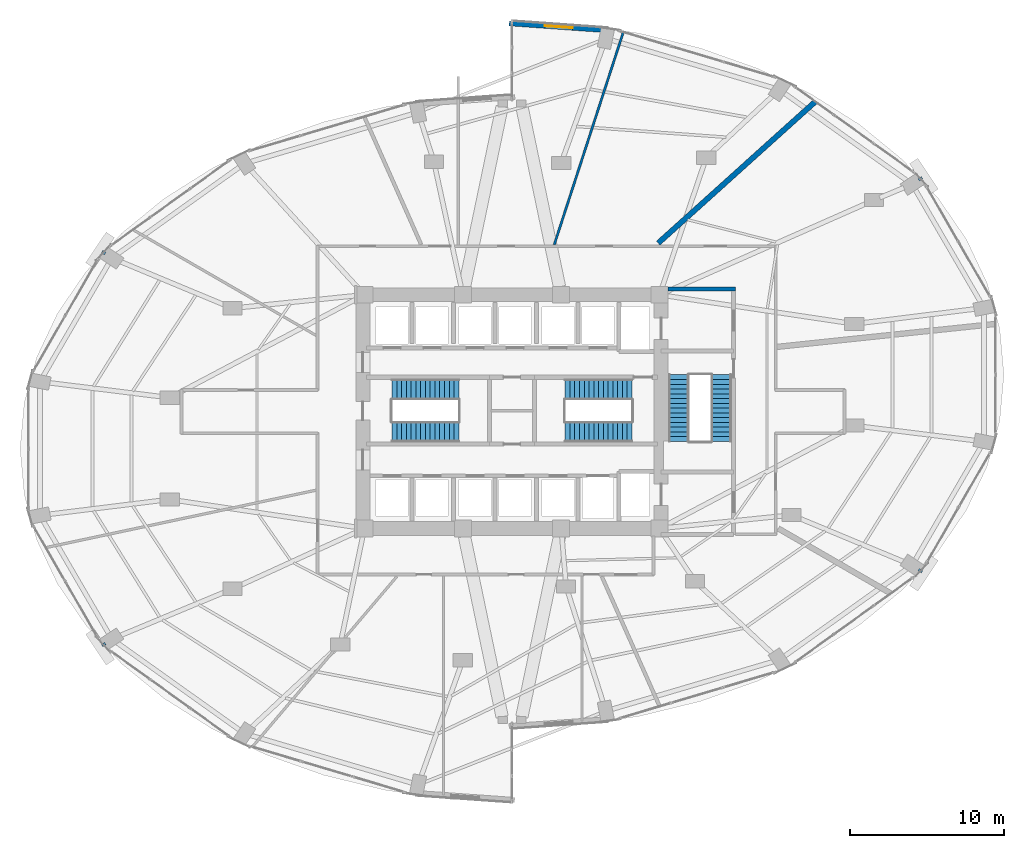
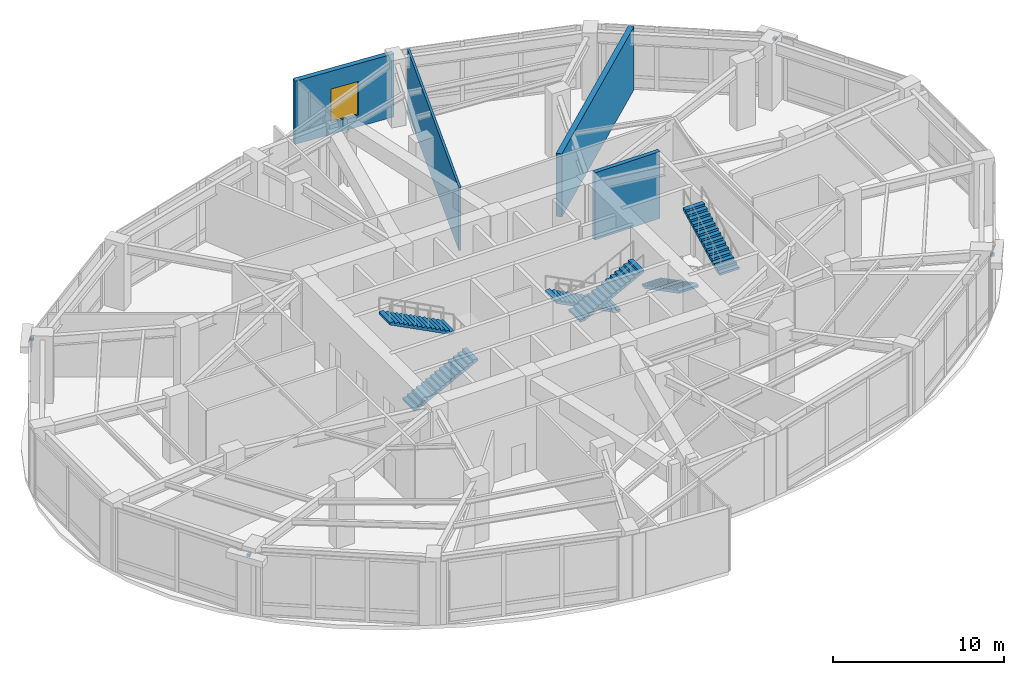
# One storey, part 23 of 24: 6 stair flights, 4 discrete accessories, 4 walls, 1 window, 1 opening, 3 elements without a shape of their own.
"""IFC4 building model written with IfcOpenShell, lengths in metres."""

from ifc_helpers import new_model, si_unit, direction, frame, frame_2d, origin, origin_2d, place, context, subcontext, project, spatial, polyline, rectangle, outline, extrude, material, layer, layer_set, type_object, element, fill, aggregate, save


model = new_model("IFC4")

# Units and contexts
model_context = context("Model", 3, precision=1e-05, world=origin(), true_north=direction((0.0, 1.0)))
body_context = subcontext(model_context, "Body", "Model", "MODEL_VIEW")
ifc_project = project(units=[si_unit("LENGTHUNIT", "METRE"), si_unit("AREAUNIT", "SQUARE_METRE"), si_unit("VOLUMEUNIT", "CUBIC_METRE"), si_unit("PLANEANGLEUNIT", "RADIAN"), si_unit("MASSUNIT", "GRAM", prefix="KILO")], contexts=[model_context])

# Site, building, storey
site_placement = place(None, origin())
site = spatial("IfcSite", under=ifc_project, at=site_placement, CompositionType="ELEMENT")
building_placement = place(site_placement, origin())
building = spatial("IfcBuilding", under=site, at=building_placement, Name="Lazwardi Medical Tower", CompositionType="ELEMENT")
storey_placement = place(building_placement, frame((0.0, 0.0, 6.0)))
storey = spatial("IfcBuildingStorey", under=building, at=storey_placement, Name="L01", CompositionType="ELEMENT", Elevation=6.0)

# Wall, opening, window
ifc_material_1 = material(Name="Precast concrete C45/55", Category="concrete")
ifc_layer_1 = layer(ifc_material_1, 0.320068359375)
ifc_layer_set_1 = layer_set([ifc_layer_1], Name="Precast concrete C45/55")
wall_type_1 = type_object("IfcWallType", Name="WL-IWAN-320", PredefinedType="SOLIDWALL", material=ifc_layer_set_1)
wall_1_placement = place(storey_placement, frame((42.26171875, 52.797607421875, 0.0), z_axis=(0.0, 0.0, 1.0), x_axis=(-0.99751367159, 0.070473221795, 0.0)))
wall_1 = element("IfcWall", 1, at=wall_1_placement, inside=storey, type_object=wall_type_1, Name="L01 Iwan Portal Return Wall NE_ret", PredefinedType="SOLIDWALL", context=body_context, shape_type="SweptSolid", body=[
    extrude(rectangle(XDim=6.45751953125, YDim=0.320068359375, at=frame_2d((3.228759765625, 0.0))), origin(), (0.0, 0.0, 1.0), 4.52001953125),
])
opening_placement = place(wall_1_placement, frame((2.32861328125, 0.0, 0.85009765625)))
opening = element("IfcOpeningElement", 2, at=opening_placement, cuts=wall_1, Name="Opening WN-03", PredefinedType="OPENING", context=body_context, shape_type="SweptSolid", body=[
    extrude(rectangle(XDim=1.800048828125, YDim=2.39990234375, at=frame_2d((0.89990234375, 1.199951171875))), frame((0.0, 0.169921875, 0.0), z_axis=(0.0, -1.0, 0.0), x_axis=(1.0, 0.0, 0.0)), (0.0, 0.0, 1.0), 0.340087890625),
])
ifc_material_2 = material(Name="Laminated acoustic bronze double glazing", Category="glass")
window_type = type_object("IfcWindowType", Name="WIN-POD-1800", PartitioningType="SINGLE_PANEL", PredefinedType="WINDOW", material=ifc_material_2)
window_placement = place(opening_placement, origin())
window = element("IfcWindow", 3, at=window_placement, inside=storey, type_object=window_type, Name="L01 Iwan Slot Window NE_ret", OverallHeight=2.39990234375, OverallWidth=1.800048828125, PartitioningType="SINGLE_PANEL", PredefinedType="WINDOW", context=body_context, shape_type="SweptSolid", body=[
    extrude(rectangle(XDim=1.800048828125, YDim=2.39990234375, at=frame_2d((0.89990234375, 1.199951171875))), frame((0.0, 0.030029296875, 0.0), z_axis=(0.0, -1.0, 0.0), x_axis=(1.0, 0.0, 0.0)), (0.0, 0.0, 1.0), 0.06005859375),
])
fill(opening, window)

# Walls
ifc_material_3 = material(Name="Lead-lined barium plaster blockwork", Category="masonry")
ifc_layer_2 = layer(ifc_material_3, 0.35009765625)
ifc_layer_set_2 = layer_set([ifc_layer_2], Name="Lead-lined barium plaster blockwork")
wall_type_2 = type_object("IfcWallType", Name="WL-RAD-350", PredefinedType="SOLIDWALL", material=ifc_layer_set_2)
wall_2_placement = place(storey_placement, frame((45.50927734375, 38.962158203125, 0.0), z_axis=(0.0, 0.0, 1.0), x_axis=(0.743143036481, 0.669132593236, 0.0)))
element("IfcWall", 4, at=wall_2_placement, inside=storey, type_object=wall_type_2, Name="L01 Room partition 4", PredefinedType="SOLIDWALL", context=body_context, shape_type="SweptSolid", body=[
    extrude(rectangle(XDim=13.7392578125, YDim=0.35009765625, at=frame_2d((6.86962890625, 0.0))), origin(), (0.0, 0.0, 1.0), 4.52001953125),
])
ifc_material_4 = material(Name="Concrete C50/60", Category="concrete")
ifc_layer_3 = layer(ifc_material_4, 0.27001953125)
ifc_layer_set_3 = layer_set([ifc_layer_3], Name="Concrete C50/60")
wall_type_3 = type_object("IfcWallType", Name="WL-STR-250", PredefinedType="SHEAR", material=ifc_layer_set_3)
wall_3_placement = place(storey_placement, frame((46.14990234375, 35.97998046875, 0.0), z_axis=(0.0, 0.0, 1.0), x_axis=(1.0, 0.0, 0.0)))
element("IfcWall", 5, at=wall_3_placement, inside=storey, type_object=wall_type_3, Name="L01 FFL-N North shear wall SW-S1", PredefinedType="SHEAR", context=body_context, shape_type="SweptSolid", body=[
    extrude(rectangle(XDim=4.400146484375, YDim=0.27001953125, at=frame_2d((2.2001953125, 0.0))), origin(), (0.0, 0.0, 1.0), 4.800048828125),
])
ifc_material_5 = material(Name="Acoustic gypsum board partition")
ifc_layer_4 = layer(ifc_material_5, 0.14990234375)
ifc_layer_set_4 = layer_set([ifc_layer_4], Name="Acoustic gypsum board partition")
wall_type_4 = type_object("IfcWallType", Name="WL-WRD-150", PredefinedType="PARTITIONING", material=ifc_layer_set_4)
wall_4_placement = place(storey_placement, frame((38.74951171875, 38.862060546875, 0.0), z_axis=(0.0, 0.0, 1.0), x_axis=(0.309009259577, 0.951059029449, 0.0)))
element("IfcWall", 6, at=wall_4_placement, inside=storey, type_object=wall_type_4, Name="L01 Room partition 5", PredefinedType="PARTITIONING", context=body_context, shape_type="SweptSolid", body=[
    extrude(rectangle(XDim=14.517578125, YDim=0.14990234375, at=frame_2d((7.2587890625, 0.0))), origin(), (0.0, 0.0, 1.0), 4.52001953125),
])

# Stair, stair flights
ifc_material_6 = material(Name="Concrete C45/55", Category="concrete")
stair_type = type_object("IfcStairType", Name="STR-POD", PredefinedType="HALF_TURN_STAIR", material=ifc_material_6)
stair_1_placement = place(storey_placement, origin())
stair_1 = element("IfcStair", 7, at=stair_1_placement, inside=storey, type_object=stair_type, Name="L01 Protected Exit Stair ST1", PredefinedType="HALF_TURN_STAIR")
stair_flight_type = type_object("IfcStairFlightType", Name="FLT-POD", PredefinedType="STRAIGHT", material=ifc_material_6)
stair_flight_1_placement = place(storey_placement, frame((28.199951171875, 26.679931640625, 0.0), z_axis=(0.0, 0.0, 1.0), x_axis=(1.0, 0.0, 0.0)))
stair_flight_1 = element("IfcStairFlight", 8, at=stair_flight_1_placement, type_object=stair_flight_type, Name="ST1 flight 1", NumberOfRisers=15, NumberOfTreads=14, PredefinedType="STRAIGHT", RiserHeight=0.16, TreadLength=0.31, context=body_context, shape_type="SweptSolid", body=[
    extrude(outline(polyline([(0.0, 0.0), (0.0, 0.159912109375), (0.31005859375, 0.159912109375), (0.31005859375, 0.320068359375), (0.6201171875, 0.320068359375), (0.6201171875, 0.47998046875), (0.929931640625, 0.47998046875), (0.929931640625, 0.639892578125), (1.239990234375, 0.639892578125), (1.239990234375, 0.800048828125), (1.550048828125, 0.800048828125), (1.550048828125, 0.9599609375), (1.860107421875, 0.9599609375), (1.860107421875, 1.1201171875), (2.169921875, 1.1201171875), (2.169921875, 1.280029296875), (2.47998046875, 1.280029296875), (2.47998046875, 1.43994140625), (2.7900390625, 1.43994140625), (2.7900390625, 1.60009765625), (3.10009765625, 1.60009765625), (3.10009765625, 1.760009765625), (3.409912109375, 1.760009765625), (3.409912109375, 1.919921875), (3.719970703125, 1.919921875), (3.719970703125, 2.080078125), (4.030029296875, 2.080078125), (4.030029296875, 2.239990234375), (4.340087890625, 2.239990234375), (4.340087890625, 2.39990234375), (4.340087890625, 2.0712890625), (0.326904296875, 0.0), (0.0, 0.0)])), frame((0.0, 0.66015625, 0.0), z_axis=(0.0, -1.0, 0.0), x_axis=(1.0, 0.0, 0.0)), (0.0, 0.0, 1.0), 1.320068359375),
])
stair_flight_2_placement = place(storey_placement, frame((32.5400390625, 29.43994140625, 2.39990234375), z_axis=(0.0, 0.0, 1.0), x_axis=(-1.0, 0.0, 0.0)))
stair_flight_2 = element("IfcStairFlight", 9, at=stair_flight_2_placement, type_object=stair_flight_type, Name="ST1 flight 2", NumberOfRisers=15, NumberOfTreads=14, PredefinedType="STRAIGHT", RiserHeight=0.16, TreadLength=0.31, context=body_context, shape_type="SweptSolid", body=[
    extrude(outline(polyline([(0.0, 0.0), (0.0, 0.159912109375), (0.31005859375, 0.159912109375), (0.31005859375, 0.320068359375), (0.6201171875, 0.320068359375), (0.6201171875, 0.47998046875), (0.929931640625, 0.47998046875), (0.929931640625, 0.639892578125), (1.239990234375, 0.639892578125), (1.239990234375, 0.800048828125), (1.550048828125, 0.800048828125), (1.550048828125, 0.9599609375), (1.860107421875, 0.9599609375), (1.860107421875, 1.1201171875), (2.169921875, 1.1201171875), (2.169921875, 1.280029296875), (2.47998046875, 1.280029296875), (2.47998046875, 1.43994140625), (2.7900390625, 1.43994140625), (2.7900390625, 1.60009765625), (3.10009765625, 1.60009765625), (3.10009765625, 1.760009765625), (3.409912109375, 1.760009765625), (3.409912109375, 1.919921875), (3.719970703125, 1.919921875), (3.719970703125, 2.080078125), (4.030029296875, 2.080078125), (4.030029296875, 2.239990234375), (4.340087890625, 2.239990234375), (4.340087890625, 2.39990234375), (4.340087890625, 2.0712890625), (0.326904296875, 0.0), (0.0, 0.0)])), frame((0.0, 0.66015625, 0.0), z_axis=(0.0, -1.0, 0.0), x_axis=(1.0, 0.0, 0.0)), (0.0, 0.0, 1.0), 1.320068359375),
])
aggregate(stair_1, [stair_flight_1, stair_flight_2])

stair_2_placement = place(storey_placement, origin())
stair_2 = element("IfcStair", 10, at=stair_2_placement, inside=storey, type_object=stair_type, Name="L01 Protected Exit Stair ST2", PredefinedType="HALF_TURN_STAIR")
stair_flight_3_placement = place(storey_placement, frame((43.800048828125, 29.43994140625, 0.0), z_axis=(0.0, 0.0, 1.0), x_axis=(-1.0, 0.0, 0.0)))
stair_flight_3 = element("IfcStairFlight", 11, at=stair_flight_3_placement, type_object=stair_flight_type, Name="ST2 flight 1", NumberOfRisers=15, NumberOfTreads=14, PredefinedType="STRAIGHT", RiserHeight=0.16, TreadLength=0.31, context=body_context, shape_type="SweptSolid", body=[
    extrude(outline(polyline([(0.0, 0.0), (0.0, 0.159912109375), (0.31005859375, 0.159912109375), (0.31005859375, 0.320068359375), (0.6201171875, 0.320068359375), (0.6201171875, 0.47998046875), (0.929931640625, 0.47998046875), (0.929931640625, 0.639892578125), (1.239990234375, 0.639892578125), (1.239990234375, 0.800048828125), (1.550048828125, 0.800048828125), (1.550048828125, 0.9599609375), (1.860107421875, 0.9599609375), (1.860107421875, 1.1201171875), (2.169921875, 1.1201171875), (2.169921875, 1.280029296875), (2.47998046875, 1.280029296875), (2.47998046875, 1.43994140625), (2.7900390625, 1.43994140625), (2.7900390625, 1.60009765625), (3.10009765625, 1.60009765625), (3.10009765625, 1.760009765625), (3.409912109375, 1.760009765625), (3.409912109375, 1.919921875), (3.719970703125, 1.919921875), (3.719970703125, 2.080078125), (4.030029296875, 2.080078125), (4.030029296875, 2.239990234375), (4.340087890625, 2.239990234375), (4.340087890625, 2.39990234375), (4.340087890625, 2.0712890625), (0.326904296875, 0.0), (0.0, 0.0)])), frame((0.0, 0.66015625, 0.0), z_axis=(0.0, -1.0, 0.0), x_axis=(1.0, 0.0, 0.0)), (0.0, 0.0, 1.0), 1.320068359375),
])
stair_flight_4_placement = place(storey_placement, frame((39.4599609375, 26.679931640625, 2.39990234375), z_axis=(0.0, 0.0, 1.0), x_axis=(1.0, 0.0, 0.0)))
stair_flight_4 = element("IfcStairFlight", 12, at=stair_flight_4_placement, type_object=stair_flight_type, Name="ST2 flight 2", NumberOfRisers=15, NumberOfTreads=14, PredefinedType="STRAIGHT", RiserHeight=0.16, TreadLength=0.31, context=body_context, shape_type="SweptSolid", body=[
    extrude(outline(polyline([(0.0, 0.0), (0.0, 0.159912109375), (0.31005859375, 0.159912109375), (0.31005859375, 0.320068359375), (0.6201171875, 0.320068359375), (0.6201171875, 0.47998046875), (0.929931640625, 0.47998046875), (0.929931640625, 0.639892578125), (1.239990234375, 0.639892578125), (1.239990234375, 0.800048828125), (1.550048828125, 0.800048828125), (1.550048828125, 0.9599609375), (1.860107421875, 0.9599609375), (1.860107421875, 1.1201171875), (2.169921875, 1.1201171875), (2.169921875, 1.280029296875), (2.47998046875, 1.280029296875), (2.47998046875, 1.43994140625), (2.7900390625, 1.43994140625), (2.7900390625, 1.60009765625), (3.10009765625, 1.60009765625), (3.10009765625, 1.760009765625), (3.409912109375, 1.760009765625), (3.409912109375, 1.919921875), (3.719970703125, 1.919921875), (3.719970703125, 2.080078125), (4.030029296875, 2.080078125), (4.030029296875, 2.239990234375), (4.340087890625, 2.239990234375), (4.340087890625, 2.39990234375), (4.340087890625, 2.0712890625), (0.326904296875, 0.0), (0.0, 0.0)])), frame((0.0, 0.66015625, 0.0), z_axis=(0.0, -1.0, 0.0), x_axis=(1.0, 0.0, 0.0)), (0.0, 0.0, 1.0), 1.320068359375),
])
aggregate(stair_2, [stair_flight_3, stair_flight_4])

stair_3_placement = place(storey_placement, origin())
stair_3 = element("IfcStair", 13, at=stair_3_placement, inside=storey, type_object=stair_type, Name="L01 Protected Exit Stair ST3", PredefinedType="HALF_TURN_STAIR")
stair_flight_5_placement = place(storey_placement, frame((46.860107421875, 30.39990234375, 0.0), z_axis=(0.0, 0.0, 1.0), x_axis=(0.0, -1.0, 0.0)))
stair_flight_5 = element("IfcStairFlight", 14, at=stair_flight_5_placement, type_object=stair_flight_type, Name="ST3 flight 1", NumberOfRisers=15, NumberOfTreads=14, PredefinedType="STRAIGHT", RiserHeight=0.16, TreadLength=0.31, context=body_context, shape_type="SweptSolid", body=[
    extrude(outline(polyline([(0.0, 0.0), (0.0, 0.159912109375), (0.31005859375, 0.159912109375), (0.31005859375, 0.320068359375), (0.6201171875, 0.320068359375), (0.6201171875, 0.47998046875), (0.929931640625, 0.47998046875), (0.929931640625, 0.639892578125), (1.239990234375, 0.639892578125), (1.239990234375, 0.800048828125), (1.550048828125, 0.800048828125), (1.550048828125, 0.9599609375), (1.860107421875, 0.9599609375), (1.860107421875, 1.1201171875), (2.169921875, 1.1201171875), (2.169921875, 1.280029296875), (2.47998046875, 1.280029296875), (2.47998046875, 1.43994140625), (2.7900390625, 1.43994140625), (2.7900390625, 1.60009765625), (3.10009765625, 1.60009765625), (3.10009765625, 1.760009765625), (3.409912109375, 1.760009765625), (3.409912109375, 1.919921875), (3.719970703125, 1.919921875), (3.719970703125, 2.080078125), (4.030029296875, 2.080078125), (4.030029296875, 2.239990234375), (4.340087890625, 2.239990234375), (4.340087890625, 2.39990234375), (4.340087890625, 2.0712890625), (0.326904296875, 0.0), (0.0, 0.0)])), frame((0.0, 0.66015625, 0.0), z_axis=(0.0, -1.0, 0.0), x_axis=(1.0, 0.0, 0.0)), (0.0, 0.0, 1.0), 1.320068359375),
])
stair_flight_6_placement = place(storey_placement, frame((49.6201171875, 26.06005859375, 2.39990234375), z_axis=(0.0, 0.0, 1.0), x_axis=(0.0, 1.0, 0.0)))
stair_flight_6 = element("IfcStairFlight", 15, at=stair_flight_6_placement, type_object=stair_flight_type, Name="ST3 flight 2", NumberOfRisers=15, NumberOfTreads=14, PredefinedType="STRAIGHT", RiserHeight=0.16, TreadLength=0.31, context=body_context, shape_type="SweptSolid", body=[
    extrude(outline(polyline([(0.0, 0.0), (0.0, 0.159912109375), (0.31005859375, 0.159912109375), (0.31005859375, 0.320068359375), (0.6201171875, 0.320068359375), (0.6201171875, 0.47998046875), (0.929931640625, 0.47998046875), (0.929931640625, 0.639892578125), (1.239990234375, 0.639892578125), (1.239990234375, 0.800048828125), (1.550048828125, 0.800048828125), (1.550048828125, 0.9599609375), (1.860107421875, 0.9599609375), (1.860107421875, 1.1201171875), (2.169921875, 1.1201171875), (2.169921875, 1.280029296875), (2.47998046875, 1.280029296875), (2.47998046875, 1.43994140625), (2.7900390625, 1.43994140625), (2.7900390625, 1.60009765625), (3.10009765625, 1.60009765625), (3.10009765625, 1.760009765625), (3.409912109375, 1.760009765625), (3.409912109375, 1.919921875), (3.719970703125, 1.919921875), (3.719970703125, 2.080078125), (4.030029296875, 2.080078125), (4.030029296875, 2.239990234375), (4.340087890625, 2.239990234375), (4.340087890625, 2.39990234375), (4.340087890625, 2.0712890625), (0.326904296875, 0.0), (0.0, 0.0)])), frame((0.0, 0.66015625, 0.0), z_axis=(0.0, -1.0, 0.0), x_axis=(1.0, 0.0, 0.0)), (0.0, 0.0, 1.0), 1.320068359375),
])
aggregate(stair_3, [stair_flight_5, stair_flight_6])

# Discrete accessories
ifc_material_7 = material(Name="Steel S355", Category="steel")
discrete_accessory_type = type_object("IfcDiscreteAccessoryType", Name="ACC-BRK-01", PredefinedType="BRACKET", material=ifc_material_7)
for number, where, z_axis, x_axis, name in (
    (16, (62.55712890625, 17.6552734375, 4.18017578125), (0.0, 0.0, 1.0), (0.55557023302, 0.831469612303, 0.0), "L01 Podium Sunshade Bracket 1"),
    (17, (62.55712890625, 43.144775390625, 4.18017578125), (0.0, 0.0, 1.0), (-0.55557023302, 0.831469612303, 0.0), "L01 Podium Sunshade Bracket 2"),
    (18, (9.44287109375, 38.3447265625, 4.18017578125), (0.0, 0.0, 1.0), (-0.55557023302, -0.831469612303, 0.0), "L01 Podium Sunshade Bracket 3"),
    (19, (9.44287109375, 12.855224609375, 4.18017578125), (0.0, 0.0, 1.0), (0.55557023302, -0.831469612303, 0.0), "L01 Podium Sunshade Bracket 4"),
):
    element("IfcDiscreteAccessory", number, at=place(storey_placement, frame(where, z_axis=z_axis, x_axis=x_axis)), inside=storey, type_object=discrete_accessory_type, Name=name, PredefinedType="BRACKET", context=body_context, shape_type="SweptSolid", body=[
        extrude(rectangle(XDim=0.179931640625, YDim=0.25, at=origin_2d()), origin(), (0.0, 0.0, 1.0), 0.179931640625),
    ])

save(model, "model.ifc")
